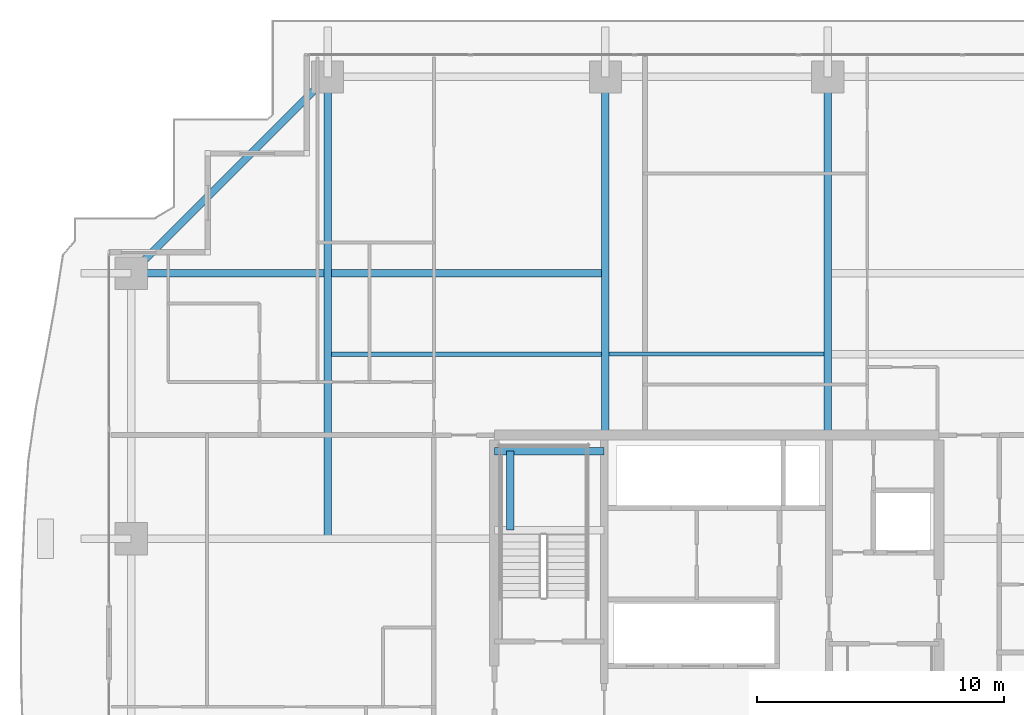
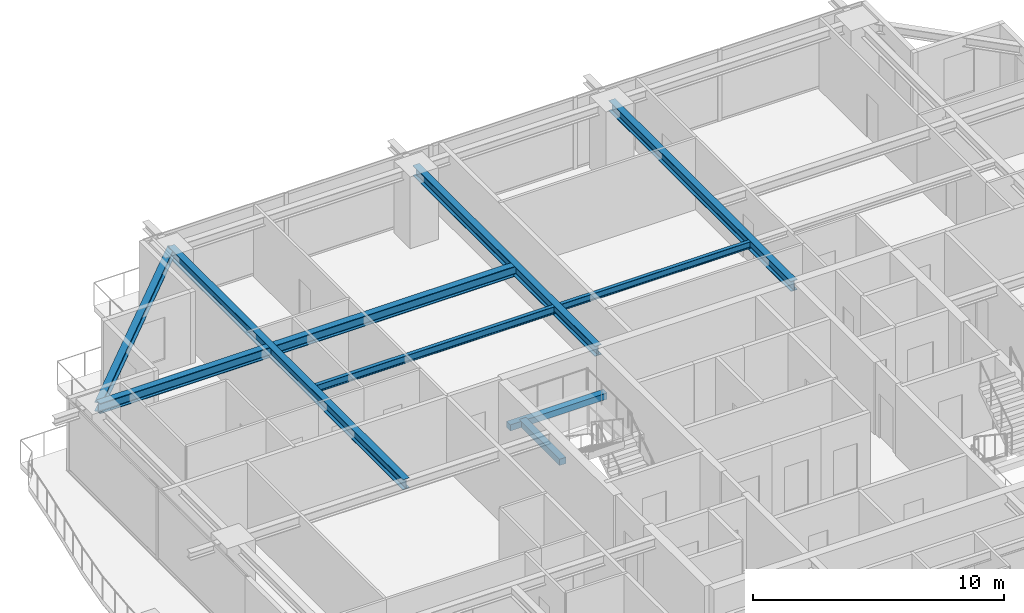
# One storey, part 17 of 34: 9 beams.
"""IFC4 building model written with IfcOpenShell, lengths in metres."""

from ifc_helpers import new_model, si_unit, direction, frame, origin, origin_2d, place, context, subcontext, project, spatial, rectangle, i_section, extrude, source, transform, mapped, material, material_profile, profile_set, type_object, element, save


model = new_model("IFC4")

# Units and contexts
model_context = context("Model", 3, precision=1e-05, world=origin(), true_north=direction((0.0, 1.0)))
body_context = subcontext(model_context, "Body", "Model", "MODEL_VIEW")
ifc_project = project(units=[si_unit("LENGTHUNIT", "METRE"), si_unit("AREAUNIT", "SQUARE_METRE"), si_unit("VOLUMEUNIT", "CUBIC_METRE"), si_unit("PLANEANGLEUNIT", "RADIAN"), si_unit("MASSUNIT", "GRAM", prefix="KILO")], contexts=[model_context])

# Site, building, storey
site_placement = place(None, origin())
site = spatial("IfcSite", under=ifc_project, at=site_placement, CompositionType="ELEMENT")
building_placement = place(site_placement, origin())
building = spatial("IfcBuilding", under=site, at=building_placement, Name="Serunith Strait Residences", CompositionType="ELEMENT")
storey_placement = place(building_placement, frame((0.0, 0.0, 187.64990234375)))
storey = spatial("IfcBuildingStorey", under=building, at=storey_placement, Name="L47", CompositionType="ELEMENT", Elevation=187.64990234375)

# Beams
ifc_material_1 = material(Name="Steel S355J2", Category="steel")
ifc_material_profile_1 = material_profile(ifc_material_1, i_section(OverallWidth=0.159912109375, OverallDepth=0.330078125, WebThickness=0.007568359375, FlangeThickness=0.011474609375, FilletRadius=0.01806640625, at=origin_2d()), Name="IPE 330")
ifc_profile_set_1 = profile_set([ifc_material_profile_1], Name="Steel S355J2")
beam_type_1 = type_object("IfcBeamType", Name="BM-IPE330", PredefinedType="JOIST", material=ifc_profile_set_1)
shared_shape_1 = source(origin(), body_context, "Body", "SweptSolid", [
    extrude(i_section(OverallWidth=0.159912109375, OverallDepth=0.330078125, WebThickness=0.007568359375, FlangeThickness=0.011474609375, FilletRadius=0.01806640625, at=origin_2d()), origin(), (0.0, 0.0, 1.0), 8.699951171875),
])
beam_1_placement = place(storey_placement, frame((28.050048828125, 36.875, 3.322021484375), z_axis=(1.0, 0.0, 0.0), x_axis=(0.0, 1.0, 0.0)))
element("IfcBeam", 1, at=beam_1_placement, inside=storey, type_object=beam_type_1, Name="L47 Composite Floor Joist 05", PredefinedType="JOIST", context=body_context, shape_type="MappedRepresentation", body=[
    mapped(shared_shape_1, transform((0.0, 0.0, 0.0), scale=1.0)),
])
ifc_material_profile_2 = material_profile(ifc_material_1, i_section(OverallWidth=0.300048828125, OverallDepth=0.5, WebThickness=0.014404296875, FlangeThickness=0.028076171875, FilletRadius=0.027099609375, at=origin_2d()), Name="HEB 500")
ifc_profile_set_2 = profile_set([ifc_material_profile_2], Name="Steel S355J2")
beam_type_2 = type_object("IfcBeamType", Name="BM-HEB500", PredefinedType="BEAM", material=ifc_profile_set_2)
shared_shape_2 = source(origin(), body_context, "Body", "SweptSolid", [
    extrude(i_section(OverallWidth=0.300048828125, OverallDepth=0.5, WebThickness=0.014404296875, FlangeThickness=0.028076171875, FilletRadius=0.027099609375, at=origin_2d()), origin(), (0.0, 0.0, 1.0), 14.5),
])
for number, where, z_axis, x_axis, name in (
    (2, (27.89990234375, 33.60009765625, 3.237060546875), (0.0, 1.0, 0.0), (-1.0, 0.0, 0.0), "L47 Primary Floor Girder TC-N2"),
    (3, (36.89990234375, 33.60009765625, 3.237060546875), (0.0, 1.0, 0.0), (-1.0, 0.0, 0.0), "L47 Primary Floor Girder TC-N3"),
):
    element("IfcBeam", number, at=place(storey_placement, frame(where, z_axis=z_axis, x_axis=x_axis)), inside=storey, type_object=beam_type_2, Name=name, PredefinedType="BEAM", context=body_context, shape_type="MappedRepresentation", body=[
        mapped(shared_shape_2, transform((0.0, 0.0, 0.0), scale=1.0)),
    ])
shared_shape_3 = source(origin(), body_context, "Body", "SweptSolid", [
    extrude(i_section(OverallWidth=0.300048828125, OverallDepth=0.5, WebThickness=0.014404296875, FlangeThickness=0.028076171875, FilletRadius=0.027099609375, at=origin_2d()), origin(), (0.0, 0.0, 1.0), 18.7001953125),
])
beam_2_placement = place(storey_placement, frame((16.64990234375, 29.39990234375, 3.237060546875), z_axis=(0.0, 1.0, 0.0), x_axis=(-1.0, 0.0, 0.0)))
element("IfcBeam", 4, at=beam_2_placement, inside=storey, type_object=beam_type_2, Name="L47 Orthogonal Corner Girder TC-N1", PredefinedType="BEAM", context=body_context, shape_type="MappedRepresentation", body=[
    mapped(shared_shape_3, transform((0.0, 0.0, 0.0), scale=1.0)),
])
shared_shape_4 = source(origin(), body_context, "Body", "SweptSolid", [
    extrude(i_section(OverallWidth=0.300048828125, OverallDepth=0.5, WebThickness=0.014404296875, FlangeThickness=0.028076171875, FilletRadius=0.027099609375, at=origin_2d()), origin(), (0.0, 0.0, 1.0), 19.199951171875),
])
beam_3_placement = place(storey_placement, frame((27.89990234375, 40.14990234375, 3.237060546875), z_axis=(-1.0, 0.0, 0.0), x_axis=(0.0, -1.0, 0.0)))
element("IfcBeam", 5, at=beam_3_placement, inside=storey, type_object=beam_type_2, Name="L47 Orthogonal Corner Girder TC-W4", PredefinedType="BEAM", context=body_context, shape_type="MappedRepresentation", body=[
    mapped(shared_shape_4, transform((0.0, 0.0, 0.0), scale=1.0)),
])
ifc_material_profile_3 = material_profile(ifc_material_1, i_section(OverallWidth=0.300048828125, OverallDepth=0.449951171875, WebThickness=0.013916015625, FlangeThickness=0.02587890625, FilletRadius=0.027099609375, at=origin_2d()), Name="HEB 450")
ifc_profile_set_3 = profile_set([ifc_material_profile_3], Name="Steel S355J2")
beam_type_3 = type_object("IfcBeamType", Name="BM-HEB450", PredefinedType="BEAM", material=ifc_profile_set_3)
shared_shape_5 = source(origin(), body_context, "Body", "SweptSolid", [
    extrude(i_section(OverallWidth=0.300048828125, OverallDepth=0.449951171875, WebThickness=0.013916015625, FlangeThickness=0.02587890625, FilletRadius=0.027099609375, at=origin_2d()), origin(), (0.0, 0.0, 1.0), 11.2431640625),
])
beam_4_placement = place(storey_placement, frame((16.64990234375, 48.10009765625, 3.232177734375), z_axis=(-0.707095923751, -0.707117638455, 0.0), x_axis=(0.707117638455, -0.707095923751, 0.0)))
element("IfcBeam", 6, at=beam_4_placement, inside=storey, type_object=beam_type_3, Name="L47 Perimeter Ring Beam 12", PredefinedType="BEAM", context=body_context, shape_type="MappedRepresentation", body=[
    mapped(shared_shape_5, transform((0.0, 0.0, 0.0), scale=1.0)),
])
ifc_material_profile_4 = material_profile(ifc_material_1, i_section(OverallWidth=0.169921875, OverallDepth=0.360107421875, WebThickness=0.008056640625, FlangeThickness=0.0126953125, FilletRadius=0.01806640625, at=origin_2d()), Name="IPE 360")
ifc_profile_set_4 = profile_set([ifc_material_profile_4], Name="Steel S355J2")
beam_type_4 = type_object("IfcBeamType", Name="BM-IPE360", PredefinedType="JOIST", material=ifc_profile_set_4)
shared_shape_6 = source(origin(), body_context, "Body", "SweptSolid", [
    extrude(i_section(OverallWidth=0.169921875, OverallDepth=0.360107421875, WebThickness=0.008056640625, FlangeThickness=0.0126953125, FilletRadius=0.01806640625, at=origin_2d()), origin(), (0.0, 0.0, 1.0), 10.949951171875),
])
beam_5_placement = place(storey_placement, frame((16.800048828125, 36.875, 3.30712890625), z_axis=(1.0, 0.0, 0.0), x_axis=(0.0, 1.0, 0.0)))
element("IfcBeam", 7, at=beam_5_placement, inside=storey, type_object=beam_type_4, Name="L47 Composite Floor Joist 04", PredefinedType="JOIST", context=body_context, shape_type="MappedRepresentation", body=[
    mapped(shared_shape_6, transform((0.0, 0.0, 0.0), scale=1.0)),
])
ifc_material_2 = material(Name="Concrete C60/75", Category="concrete")
ifc_material_profile_5 = material_profile(ifc_material_2, rectangle(XDim=0.300048828125, YDim=0.300048828125, at=origin_2d()), Name="RC 300x300")
ifc_profile_set_5 = profile_set([ifc_material_profile_5], Name="Concrete C60/75")
beam_type_5 = type_object("IfcBeamType", Name="BM-LAND-300x300", PredefinedType="BEAM", material=ifc_profile_set_5)
shared_shape_7 = source(origin(), body_context, "Body", "SweptSolid", [
    extrude(rectangle(XDim=0.300048828125, YDim=0.300048828125, at=origin_2d()), origin(), (0.0, 0.0, 1.0), 4.4501953125),
])
beam_6_placement = place(storey_placement, frame((23.39990234375, 32.949951171875, 1.525146484375), z_axis=(1.0, 0.0, 0.0), x_axis=(0.0, 1.0, 0.0)))
element("IfcBeam", 8, at=beam_6_placement, inside=storey, type_object=beam_type_5, Name="L47 ST-1 Landing Support Beam 2", PredefinedType="BEAM", context=body_context, shape_type="MappedRepresentation", body=[
    mapped(shared_shape_7, transform((0.0, 0.0, 0.0), scale=1.0)),
])
shared_shape_8 = source(origin(), body_context, "Body", "SweptSolid", [
    extrude(rectangle(XDim=0.300048828125, YDim=0.300048828125, at=origin_2d()), origin(), (0.0, 0.0, 1.0), 3.199951171875),
])
beam_7_placement = place(storey_placement, frame((24.050048828125, 29.75, 1.525146484375), z_axis=(0.0, 1.0, 0.0), x_axis=(-1.0, 0.0, 0.0)))
element("IfcBeam", 9, at=beam_7_placement, inside=storey, type_object=beam_type_5, Name="L47 ST-1 Landing Transverse Tie Beam", PredefinedType="BEAM", context=body_context, shape_type="MappedRepresentation", body=[
    mapped(shared_shape_8, transform((0.0, 0.0, 0.0), scale=1.0)),
])

save(model, "model.ifc")
